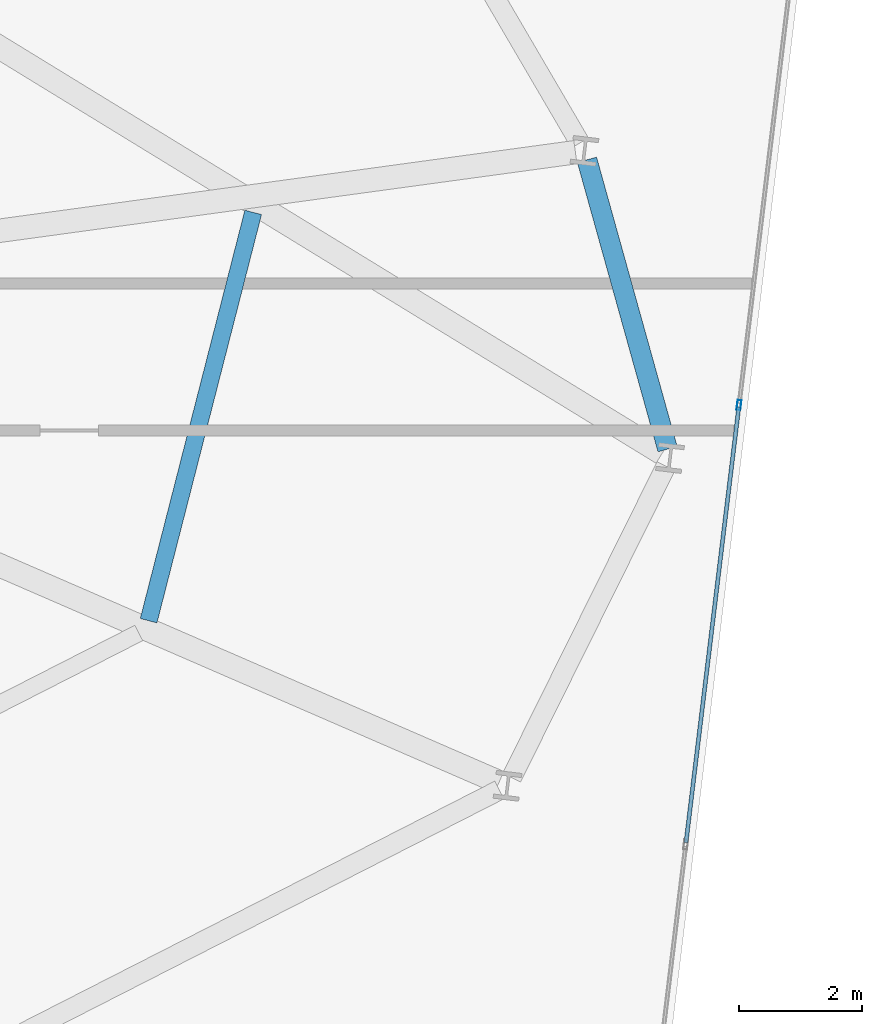
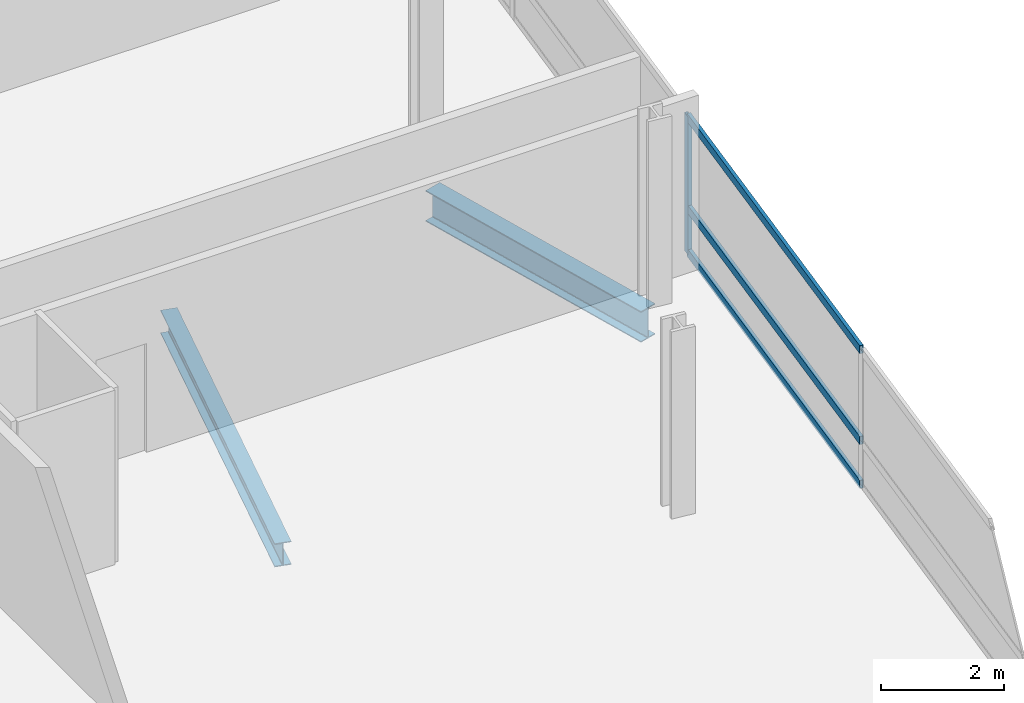
# One storey, part 15 of 26: 4 members, 2 beams, 1 element without a shape of its own.
"""IFC4 building model written with IfcOpenShell, lengths in metres."""

import ifcopenshell
import ifcopenshell.guid

model = None  # the IFC model being written
_history = None  # IfcOwnerHistory: only IFC2X3 demands one
_inside = {}  # id of a spatial element -> (the spatial element, [elements in it])
_under = {}  # id of a project, library or spatial element -> (it, [spatial elements below it])
_declared = {}  # id of a project -> (the project, [libraries it declares])
_typed = {}  # id of a type object -> (the type object, [elements of that type])
_made_of = {}  # id of a material, layer set ... -> (it, [elements and type objects made of it])


def new_model(schema):
    """Start an empty IFC model of exactly this schema.

    Asked for "IFC4X3", IfcOpenShell would pick the latest addendum, in which some entities
    have other attributes; the version numbers below select the first issue.
    IFC2X3 requires an IfcOwnerHistory on every rooted entity: one is made here for all.
    """
    global model, _history
    if schema == "IFC4X3":
        model = ifcopenshell.file(schema_version=(4, 3, 0, 0))
    else:
        model = ifcopenshell.file(schema=schema)
    _inside.clear()
    _under.clear()
    _declared.clear()
    _typed.clear()
    _made_of.clear()
    _history = None
    if model.schema == "IFC2X3":
        org = make("IfcOrganization", Name="unknown")
        user = make(
            "IfcPersonAndOrganization",
            ThePerson=make("IfcPerson", FamilyName="unknown"),
            TheOrganization=org,
        )
        app = make(
            "IfcApplication",
            ApplicationDeveloper=org,
            Version="unknown",
            ApplicationFullName="unknown",
            ApplicationIdentifier="unknown",
        )
        _history = make(
            "IfcOwnerHistory",
            OwningUser=user,
            OwningApplication=app,
            ChangeAction="ADDED",
            CreationDate=0,
        )
    return model


def make(cls, **values):
    """One entity of the class cls with the attributes given. An attribute that is None is left unset."""
    return model.create_entity(
        cls, **{name: value for name, value in values.items() if value is not None}
    )


def rooted(cls, **values):
    """An entity with a GlobalId (a new one), such as an element, a storey or a relation."""
    return make(cls, GlobalId=ifcopenshell.guid.new(), OwnerHistory=_history, **values)


def si_unit(unit_type, name, prefix=None):
    """IfcSIUnit, for example si_unit("LENGTHUNIT", "METRE", prefix="MILLI")."""
    return make("IfcSIUnit", UnitType=unit_type, Prefix=prefix, Name=name)


def assignment(units):
    """IfcUnitAssignment: the units of a project."""
    return None if units is None else make("IfcUnitAssignment", Units=units)


def point(xyz):
    """IfcCartesianPoint."""
    return None if xyz is None else make("IfcCartesianPoint", Coordinates=xyz)


def direction(xyz):
    """IfcDirection."""
    return None if xyz is None else make("IfcDirection", DirectionRatios=xyz)


def frame(location, z_axis=None, x_axis=None):
    """IfcAxis2Placement3D, a coordinate frame: its origin and axes. An axis left out is left unset."""
    return make(
        "IfcAxis2Placement3D",
        Location=point(location),
        Axis=direction(z_axis),
        RefDirection=direction(x_axis),
    )


def frame_2d(location, x_axis=None):
    """IfcAxis2Placement2D, a coordinate frame in the plane: its origin and x axis."""
    return make(
        "IfcAxis2Placement2D", Location=point(location), RefDirection=direction(x_axis)
    )


def origin():
    """The frame at (0, 0, 0) with its axes left unset."""
    return frame((0.0, 0.0, 0.0))


def origin_2d():
    """The frame at (0, 0) in the plane with its x axis left unset."""
    return frame_2d((0.0, 0.0))


def place(relative_to, where):
    """IfcLocalPlacement: puts the frame where relative to a parent placement (None: the world)."""
    return make(
        "IfcLocalPlacement", PlacementRelTo=relative_to, RelativePlacement=where
    )


def context(
    kind, dimensions, precision=None, world=None, true_north=None, identifier=None
):
    """IfcGeometricRepresentationContext, for example the 3D "Model" context."""
    return make(
        "IfcGeometricRepresentationContext",
        ContextIdentifier=identifier,
        ContextType=kind,
        CoordinateSpaceDimension=dimensions,
        Precision=precision,
        WorldCoordinateSystem=world,
        TrueNorth=true_north,
    )


def subcontext(parent, identifier, kind, view, scale=None):
    """IfcGeometricRepresentationSubContext, for example "Body" below "Model"."""
    return make(
        "IfcGeometricRepresentationSubContext",
        ContextIdentifier=identifier,
        ContextType=kind,
        ParentContext=parent,
        TargetScale=scale,
        TargetView=view,
    )


def project(units=None, contexts=None):
    """IfcProject with its units and contexts."""
    return rooted(
        "IfcProject",
        Name="project",
        RepresentationContexts=contexts,
        UnitsInContext=assignment(units),
    )


def spatial(cls, under=None, at=None, **own):
    """A site, building, storey or space (cls), placed at a placement, below another one or the project."""
    s = rooted(cls, ObjectPlacement=at, **own)
    if under is not None:
        _under.setdefault(under.id(), (under, []))[1].append(s)
    return s


def profile(cls, at=None, kind="AREA", **sizes):
    """A parametric profile (cls). Its sizes go by their IFC names, for example OverallWidth=200.0."""
    return make(cls, ProfileType=kind, Position=at, **sizes)


def hollow_rectangle(**sizes):
    """IfcRectangleHollowProfileDef."""
    return profile("IfcRectangleHollowProfileDef", **sizes)


def i_section(**sizes):
    """IfcIShapeProfileDef."""
    return profile("IfcIShapeProfileDef", **sizes)


def extrude(swept, where, along, depth):
    """IfcExtrudedAreaSolid: the profile swept, set in the frame where, extruded along a direction by depth."""
    return make(
        "IfcExtrudedAreaSolid",
        SweptArea=swept,
        Position=where,
        ExtrudedDirection=direction(along),
        Depth=depth,
    )


def shape(context_of_items, identifier, shape_type, items):
    """IfcShapeRepresentation: the items that make up one representation, for example the "Body"."""
    return make(
        "IfcShapeRepresentation",
        ContextOfItems=context_of_items,
        RepresentationIdentifier=identifier,
        RepresentationType=shape_type,
        Items=items,
    )


def material(Name=None, Category=None):
    """IfcMaterial."""
    return make("IfcMaterial", Name=Name, Category=Category)


def layer(
    of_material, thickness, ventilated=None, Name=None, Category=None, Priority=None
):
    """IfcMaterialLayer: one layer of a wall or slab, of a material (None: an air gap)."""
    return make(
        "IfcMaterialLayer",
        Material=of_material,
        LayerThickness=thickness,
        IsVentilated=ventilated,
        Name=Name,
        Category=Category,
        Priority=Priority,
    )


def layer_set(layers, Name=None):
    """IfcMaterialLayerSet."""
    return make("IfcMaterialLayerSet", MaterialLayers=layers, LayerSetName=Name)


def material_profile(
    of_material, cross_section, Name=None, Category=None, Priority=None
):
    """IfcMaterialProfile: a cross section and its material."""
    return make(
        "IfcMaterialProfile",
        Name=Name,
        Material=of_material,
        Profile=cross_section,
        Priority=Priority,
        Category=Category,
    )


def profile_set(profiles, Name=None, composite=None):
    """IfcMaterialProfileSet."""
    return make(
        "IfcMaterialProfileSet",
        Name=Name,
        MaterialProfiles=profiles,
        CompositeProfile=composite,
    )


def made_of(thing, what):
    """Note that an element or type object is made of a material, layer set ...; save() writes the relation."""
    if what is not None:
        _made_of.setdefault(what.id(), (what, []))[1].append(thing)
    return thing


def type_object(cls, material=None, **own):
    """A type object (cls), such as IfcWallType, which elements share."""
    return made_of(rooted(cls, **own), material)


def element(
    cls,
    number,
    at=None,
    inside=None,
    cuts=None,
    type_object=None,
    material=None,
    context=None,
    identifier="Body",
    shape_type=None,
    held_by="IfcProductDefinitionShape",
    body=None,
    shapes=None,
    **own,
):
    """One element of the class cls, such as IfcWall. Its Tag is "e" and its number.

    at: its placement. inside: the storey or other place that contains it. cuts: it is an
    opening in that element (IfcRelVoidsElement). A single representation is given by context,
    identifier, shape_type and body (its items); several are given by shapes. held_by: the class
    of the entity that holds the representations. save() writes the other relations.
    """
    e = rooted(cls, Tag="e%d" % number, ObjectPlacement=at, **own)
    if body is not None:
        shapes = [shape(context, identifier, shape_type, body)]
    if shapes is not None:
        e.Representation = make(held_by, Representations=shapes)
    if inside is not None:
        _inside.setdefault(inside.id(), (inside, []))[1].append(e)
    if cuts is not None:
        rooted(
            "IfcRelVoidsElement", RelatingBuildingElement=cuts, RelatedOpeningElement=e
        )
    if type_object is not None:
        _typed.setdefault(type_object.id(), (type_object, []))[1].append(e)
    return made_of(e, material)


def aggregate(whole, parts):
    """IfcRelAggregates: a whole, such as a stair, and the parts it consists of."""
    return rooted("IfcRelAggregates", RelatingObject=whole, RelatedObjects=parts)


def save(model, path):
    """Write the relations noted so far, then the file.

    IfcRelAggregates (storeys below a building ...), IfcRelContainedInSpatialStructure (elements
    in a storey), IfcRelDefinesByType, IfcRelAssociatesMaterial and IfcRelDeclares: one each for
    every whole, place, type object, material and project.
    """
    for whole, parts in _under.values():
        aggregate(whole, parts)
    for where, things in _inside.values():
        rooted(
            "IfcRelContainedInSpatialStructure",
            RelatedElements=things,
            RelatingStructure=where,
        )
    for kind, things in _typed.values():
        rooted("IfcRelDefinesByType", RelatedObjects=things, RelatingType=kind)
    for what, things in _made_of.values():
        rooted("IfcRelAssociatesMaterial", RelatedObjects=things, RelatingMaterial=what)
    for by, libraries in _declared.values():
        rooted("IfcRelDeclares", RelatingContext=by, RelatedDefinitions=libraries)
    model.write(path)


model = new_model("IFC4")

# Units and contexts
model_context = context("Model", 3, precision=1e-05, world=origin(), true_north=direction((0.0, 1.0)))
body_context = subcontext(model_context, "Body", "Model", "MODEL_VIEW")
ifc_project = project(units=[si_unit("LENGTHUNIT", "METRE"), si_unit("AREAUNIT", "SQUARE_METRE"), si_unit("VOLUMEUNIT", "CUBIC_METRE"), si_unit("PLANEANGLEUNIT", "RADIAN"), si_unit("MASSUNIT", "GRAM", prefix="KILO")], contexts=[model_context])

# Site, building, storey
site_placement = place(None, origin())
site = spatial("IfcSite", under=ifc_project, at=site_placement, CompositionType="ELEMENT")
building_placement = place(site_placement, origin())
building = spatial("IfcBuilding", under=site, at=building_placement, Name="Varnelok Gate Tower", CompositionType="ELEMENT")
storey_placement = place(building_placement, frame((0.0, 0.0, 143.89990234375)))
storey = spatial("IfcBuildingStorey", under=building, at=storey_placement, Name="L36", CompositionType="ELEMENT", Elevation=143.89990234375)

# Beams
ifc_material_1 = material(Name="Structural Steel ASTM A992 Grade 50", Category="steel")
ifc_material_profile_1 = material_profile(ifc_material_1, i_section(OverallWidth=0.280029296875, OverallDepth=0.462890625, WebThickness=0.0107421875, FlangeThickness=0.017333984375, FilletRadius=0.014892578125, at=origin_2d()), Name="W18X76")
ifc_profile_set_1 = profile_set([ifc_material_profile_1], Name="Structural Steel ASTM A992 Grade 50")
beam_type_1 = type_object("IfcBeamType", Name="BM-JST-W18X76", PredefinedType="JOIST", material=ifc_profile_set_1)
beam_1_placement = place(storey_placement, frame((65.9560546875, 13.75927734375, -0.4814453125), z_axis=(0.248146543732, 0.968722505588, 0.0), x_axis=(-0.968722505588, 0.248146543732, 0.0)))
element("IfcBeam", 1, at=beam_1_placement, inside=storey, type_object=beam_type_1, Name="L36 Sector Floor Joist 6", PredefinedType="JOIST", context=body_context, shape_type="SweptSolid", body=[
    extrude(i_section(OverallWidth=0.280029296875, OverallDepth=0.462890625, WebThickness=0.0107421875, FlangeThickness=0.017333984375, FilletRadius=0.014892578125, at=origin_2d()), origin(), (0.0, 0.0, 1.0), 6.8544921875),
])
ifc_material_profile_2 = material_profile(ifc_material_1, i_section(OverallWidth=0.323974609375, OverallDepth=0.611083984375, WebThickness=0.0126953125, FlangeThickness=0.01904296875, FilletRadius=0.01806640625, at=origin_2d()), Name="W24X104")
ifc_profile_set_2 = profile_set([ifc_material_profile_2], Name="Structural Steel ASTM A992 Grade 50")
beam_type_2 = type_object("IfcBeamType", Name="BM-SPN-W24X104", PredefinedType="SPANDREL", material=ifc_profile_set_2)
beam_2_placement = place(storey_placement, frame((74.395263671875, 16.54931640625, -0.555419921875), z_axis=(-0.26833732875, 0.963325011613, 0.0), x_axis=(-0.963325011613, -0.26833732875, 0.0)))
element("IfcBeam", 2, at=beam_2_placement, inside=storey, type_object=beam_type_2, Name="L36 Perimeter Spandrel Beam 7", PredefinedType="SPANDREL", context=body_context, shape_type="SweptSolid", body=[
    extrude(i_section(OverallWidth=0.323974609375, OverallDepth=0.611083984375, WebThickness=0.0126953125, FlangeThickness=0.01904296875, FilletRadius=0.01806640625, at=origin_2d()), origin(), (0.0, 0.0, 1.0), 4.884033203125),
])

# Curtain wall, members
ifc_material_2 = material(Name="Anodized Aluminum Alloy 6063-T6", Category="aluminium")
ifc_layer = layer(ifc_material_2, 0.179931640625)
ifc_layer_set = layer_set([ifc_layer], Name="Anodized Aluminum Alloy 6063-T6")
curtain_wall_type = type_object("IfcCurtainWallType", Name="CW3-HOTEL-VISION", PredefinedType="USERDEFINED", material=ifc_layer_set)
curtain_wall_placement = place(storey_placement, origin())
curtain_wall = element("IfcCurtainWall", 3, at=curtain_wall_placement, inside=storey, type_object=curtain_wall_type, Name="L36 East End Vision Curtain Wall", ObjectType="UNITISED CURTAIN WALL", PredefinedType="USERDEFINED")
ifc_material_profile_3 = material_profile(ifc_material_2, hollow_rectangle(XDim=0.06494140625, YDim=0.159912109375, WallThickness=0.00390625, at=origin_2d()), Name="ALU160X65X4")
ifc_profile_set_3 = profile_set([ifc_material_profile_3], Name="Anodized Aluminum Alloy 6063-T6")
member_type_1 = type_object("IfcMemberType", Name="CW-MULL-160", PredefinedType="MULLION", material=ifc_profile_set_3)
member_1_placement = place(storey_placement, frame((75.557373046875, 17.26611328125, 0.0), z_axis=(0.0, 0.0, 1.0), x_axis=(0.99273188146, -0.120347046212, 0.0)))
member_1 = element("IfcMember", 4, at=member_1_placement, type_object=member_type_1, Name="CW3 mullion 4", PredefinedType="MULLION", context=body_context, shape_type="SweptSolid", body=[
    extrude(hollow_rectangle(XDim=0.06494140625, YDim=0.159912109375, WallThickness=0.00390625, at=origin_2d()), origin(), (0.0, 0.0, 1.0), 2.72998046875),
])
ifc_material_profile_4 = material_profile(ifc_material_2, hollow_rectangle(XDim=0.06494140625, YDim=0.159912109375, WallThickness=0.00390625, at=origin_2d()), Name="ALU160X65X4")
ifc_profile_set_4 = profile_set([ifc_material_profile_4], Name="Anodized Aluminum Alloy 6063-T6")
member_type_2 = type_object("IfcMemberType", Name="CW-TRAN-160", PredefinedType="USERDEFINED", material=ifc_profile_set_4)
member_2_placement = place(storey_placement, frame((75.553466796875, 17.23388671875, 0.03271484375), z_axis=(-0.120340564253, -0.992732667235, 0.0), x_axis=(0.992732667235, -0.120340564253, 0.0)))
member_2 = element("IfcMember", 5, at=member_2_placement, type_object=member_type_2, Name="CW3 transom 4.1", ObjectType="TRANSOM", PredefinedType="USERDEFINED", context=body_context, shape_type="SweptSolid", body=[
    extrude(hollow_rectangle(XDim=0.06494140625, YDim=0.159912109375, WallThickness=0.00390625, at=origin_2d()), origin(), (0.0, 0.0, 1.0), 7.135009765625),
])
member_3_placement = place(storey_placement, frame((75.553466796875, 17.23388671875, 0.900146484375), z_axis=(-0.120340564253, -0.992732667235, 0.0), x_axis=(0.992732667235, -0.120340564253, 0.0)))
member_3 = element("IfcMember", 6, at=member_3_placement, type_object=member_type_2, Name="CW3 transom 4.2", ObjectType="TRANSOM", PredefinedType="USERDEFINED", context=body_context, shape_type="SweptSolid", body=[
    extrude(hollow_rectangle(XDim=0.06494140625, YDim=0.159912109375, WallThickness=0.00390625, at=origin_2d()), origin(), (0.0, 0.0, 1.0), 7.135009765625),
])
member_4_placement = place(storey_placement, frame((75.553466796875, 17.23388671875, 2.697509765625), z_axis=(-0.120340564253, -0.992732667235, 0.0), x_axis=(0.992732667235, -0.120340564253, 0.0)))
member_4 = element("IfcMember", 7, at=member_4_placement, type_object=member_type_2, Name="CW3 transom 4.3", ObjectType="TRANSOM", PredefinedType="USERDEFINED", context=body_context, shape_type="SweptSolid", body=[
    extrude(hollow_rectangle(XDim=0.06494140625, YDim=0.159912109375, WallThickness=0.00390625, at=origin_2d()), origin(), (0.0, 0.0, 1.0), 7.135009765625),
])
aggregate(curtain_wall, [member_1, member_2, member_3, member_4])

save(model, "model.ifc")
